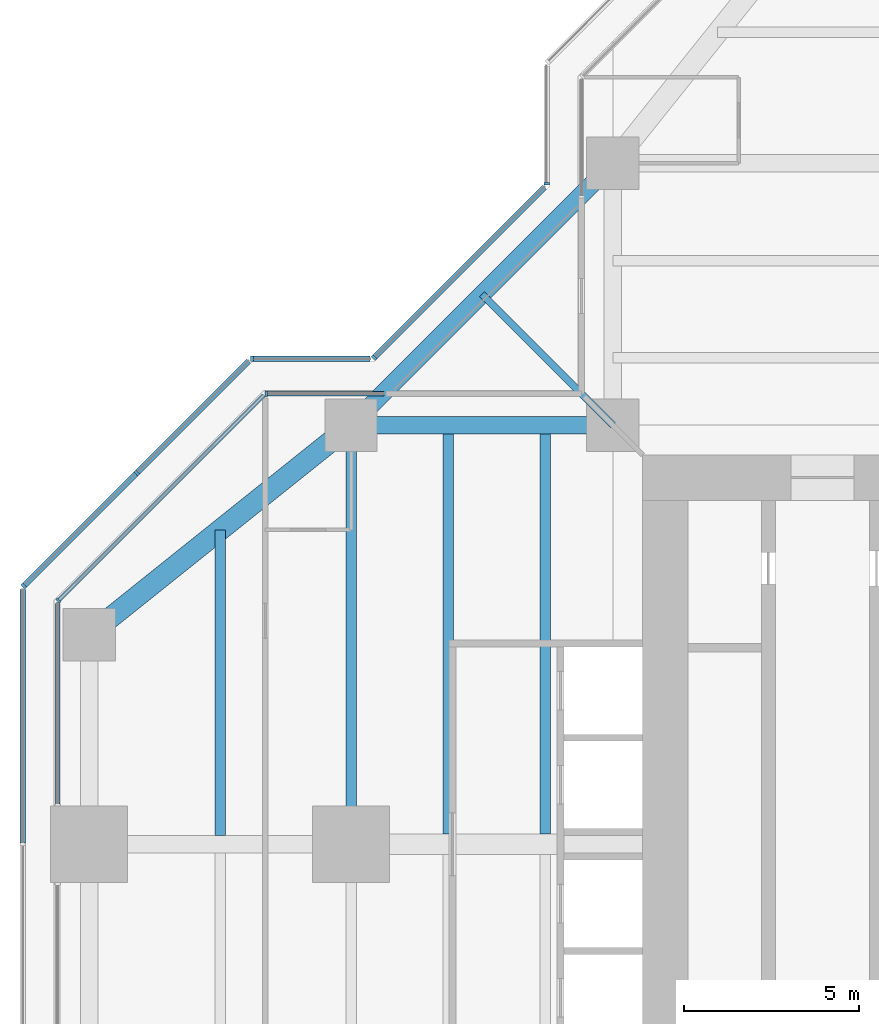
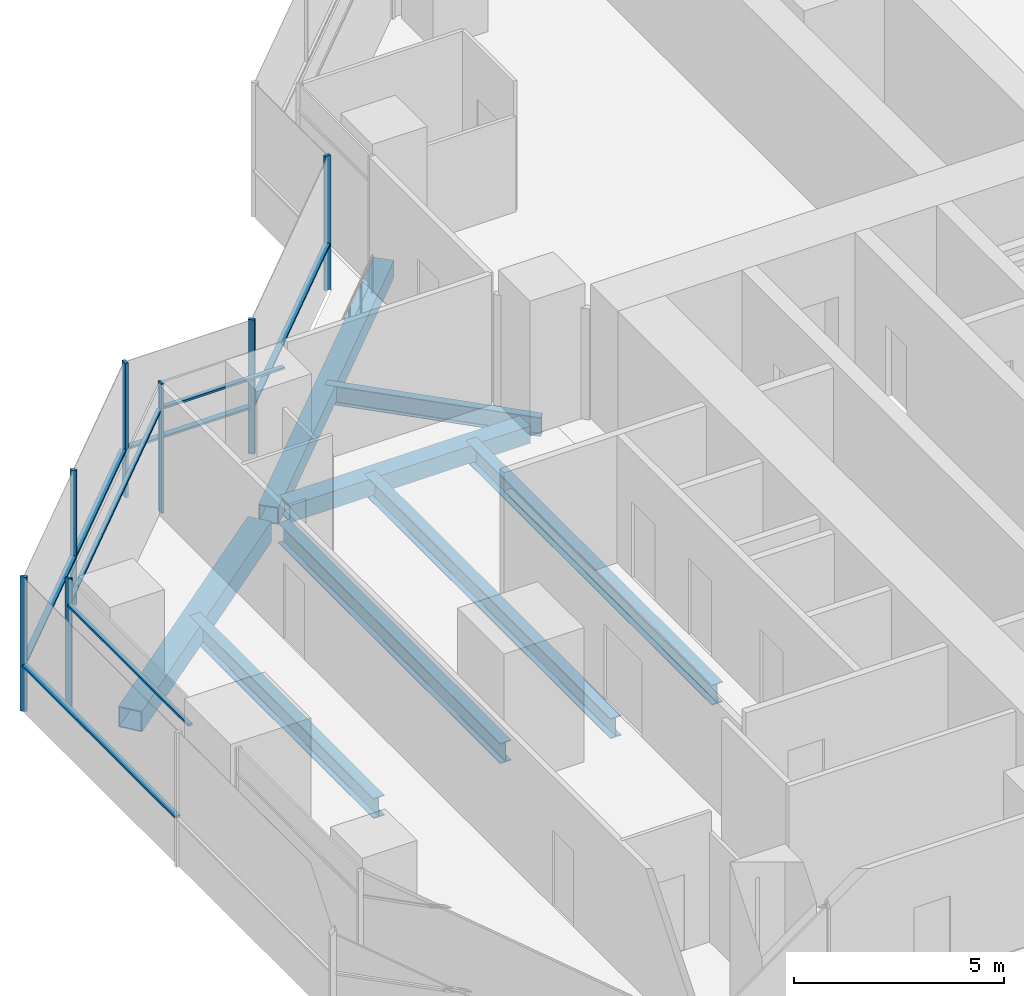
# One storey, part 6 of 17: 15 members, 8 beams, 8 elements without a shape of their own.
"""IFC4 building model written with IfcOpenShell, lengths in metres."""

from ifc_helpers import new_model, si_unit, direction, frame, origin, origin_2d, place, context, subcontext, project, spatial, rectangle, hollow_rectangle, i_section, extrude, material, material_profile, profile_set, type_object, element, aggregate, save


model = new_model("IFC4")

# Units and contexts
model_context = context("Model", 3, precision=1e-05, world=origin(), true_north=direction((0.0, 1.0)))
body_context = subcontext(model_context, "Body", "Model", "MODEL_VIEW")
ifc_project = project(units=[si_unit("LENGTHUNIT", "METRE"), si_unit("AREAUNIT", "SQUARE_METRE"), si_unit("VOLUMEUNIT", "CUBIC_METRE"), si_unit("PLANEANGLEUNIT", "RADIAN"), si_unit("MASSUNIT", "GRAM", prefix="KILO")], contexts=[model_context])

# Site, building, storey
site_placement = place(None, origin())
site = spatial("IfcSite", under=ifc_project, at=site_placement, CompositionType="ELEMENT")
building_placement = place(site_placement, origin())
building = spatial("IfcBuilding", under=site, at=building_placement, Name="Mizan Broadcast Tower", CompositionType="ELEMENT")
storey_placement = place(building_placement, frame((0.0, 0.0, 243.89990234375)))
storey = spatial("IfcBuildingStorey", under=building, at=storey_placement, Name="L57", CompositionType="ELEMENT", Elevation=243.89990234375)

# Beams
ifc_material_1 = material(Name="Steel S355", Category="steel")
ifc_material_profile_1 = material_profile(ifc_material_1, hollow_rectangle(XDim=0.5, YDim=0.5, WallThickness=0.030029296875, at=origin_2d()), Name="BOX 500x500x30")
ifc_profile_set_1 = profile_set([ifc_material_profile_1], Name="Steel S355")
beam_type_1 = type_object("IfcBeamType", Name="EDGE BEAM BOX 500x500x30", PredefinedType="SPANDREL", material=ifc_profile_set_1)
beam_1_placement = place(storey_placement, frame((-12.449951171875, 12.0, -0.3798828125), z_axis=(-1.0, 0.0, 0.0), x_axis=(0.0, -1.0, 0.0)))
element("IfcBeam", 1, at=beam_1_placement, inside=storey, type_object=beam_type_1, Name="Edge beam BOX 500x500x30 L57 west arm", PredefinedType="SPANDREL", context=body_context, shape_type="SweptSolid", body=[
    extrude(hollow_rectangle(XDim=0.5, YDim=0.5, WallThickness=0.030029296875, at=origin_2d()), origin(), (0.0, 0.0, 1.0), 6.60009765625),
])
beam_2_placement = place(storey_placement, frame((-12.0, 19.5, -0.3798828125), z_axis=(-0.707106781187, -0.707106781187, 0.0), x_axis=(0.707106781187, -0.707106781187, 0.0)))
element("IfcBeam", 2, at=beam_2_placement, inside=storey, type_object=beam_type_1, Name="Winter garden edge beam L57 N", PredefinedType="SPANDREL", context=body_context, shape_type="SweptSolid", body=[
    extrude(hollow_rectangle(XDim=0.5, YDim=0.5, WallThickness=0.030029296875, at=origin_2d()), origin(), (0.0, 0.0, 1.0), 10.606689453125),
])
ifc_material_2 = material(Name="Steel S355", Category="steel")
ifc_material_profile_2 = material_profile(ifc_material_2, hollow_rectangle(XDim=0.60009765625, YDim=0.60009765625, WallThickness=0.030029296875, at=origin_2d()), Name="BOX 600x600x30")
ifc_profile_set_2 = profile_set([ifc_material_profile_2], Name="Steel S355")
beam_type_2 = type_object("IfcBeamType", Name="EDGE BEAM BOX 600x600x30", PredefinedType="SPANDREL", material=ifc_profile_set_2)
beam_3_placement = place(storey_placement, frame((-19.949951171875, 11.639892578125, -0.429931640625), z_axis=(-0.780885717636, -0.624673911726, 0.0), x_axis=(0.624673911726, -0.780885717636, 0.0)))
element("IfcBeam", 3, at=beam_3_placement, inside=storey, type_object=beam_type_2, Name="Edge beam BOX 600x600x30 L57 west arm", PredefinedType="SPANDREL", context=body_context, shape_type="SweptSolid", body=[
    extrude(hollow_rectangle(XDim=0.60009765625, YDim=0.60009765625, WallThickness=0.030029296875, at=origin_2d()), origin(), (0.0, 0.0, 1.0), 8.4521484375),
])
ifc_material_3 = material(Name="Steel S355", Category="steel")
ifc_material_profile_3 = material_profile(ifc_material_3, i_section(OverallWidth=0.300048828125, OverallDepth=0.590087890625, WebThickness=0.012939453125, FlangeThickness=0.02490234375, FilletRadius=0.027099609375, at=origin_2d()), Name="HEA 600")
ifc_profile_set_3 = profile_set([ifc_material_profile_3], Name="Steel S355")
beam_type_3 = type_object("IfcBeamType", Name="GIRDER HEA 600", PredefinedType="BEAM", material=ifc_profile_set_3)
beam_4_placement = place(storey_placement, frame((-19.5, 11.280029296875, -0.4248046875), z_axis=(0.0, -1.0, 0.0), x_axis=(1.0, 0.0, 0.0)))
element("IfcBeam", 4, at=beam_4_placement, inside=storey, type_object=beam_type_3, Name="Girder HEA 600 L57 west arm", PredefinedType="BEAM", context=body_context, shape_type="SweptSolid", body=[
    extrude(i_section(OverallWidth=0.300048828125, OverallDepth=0.590087890625, WebThickness=0.012939453125, FlangeThickness=0.02490234375, FilletRadius=0.027099609375, at=origin_2d()), origin(), (0.0, 0.0, 1.0), 10.56005859375),
])

# Curtain wall, member
ifc_material_4 = material(Name="Aluminium framed glazing", Category="aluminium")
curtain_wall_type_1 = type_object("IfcCurtainWallType", Name="INNER SKIN HIGH ZONE", PredefinedType="USERDEFINED", material=ifc_material_4)
curtain_wall_1_placement = place(storey_placement, origin())
curtain_wall_1 = element("IfcCurtainWall", 5, at=curtain_wall_1_placement, inside=storey, type_object=curtain_wall_type_1, Name="Inner skin high zone L57 W side", ObjectType="INNER SKIN HIGH ZONE", PredefinedType="USERDEFINED")
ifc_material_5 = material(Name="Aluminium, pale anodised", Category="aluminium")
ifc_material_profile_4 = material_profile(ifc_material_5, rectangle(XDim=0.159912109375, YDim=0.06005859375, at=origin_2d()), Name="MULLION 160x60")
ifc_profile_set_4 = profile_set([ifc_material_profile_4], Name="Aluminium, pale anodised")
member_type_1 = type_object("IfcMemberType", Name="INNER SKIN MULLION 60x160", PredefinedType="MULLION", material=ifc_profile_set_4)
member_1_placement = place(storey_placement, frame((-21.928466796875, 12.89990234375, 0.0), z_axis=(0.0, 0.0, 1.0), x_axis=(0.0, -1.0, 0.0)))
member_1 = element("IfcMember", 6, at=member_1_placement, type_object=member_type_1, Name="Inner skin high zone L57 W side mullion 2", PredefinedType="MULLION", context=body_context, shape_type="SweptSolid", body=[
    extrude(rectangle(XDim=0.159912109375, YDim=0.06005859375, at=origin_2d()), origin(), (0.0, 0.0, 1.0), 3.77001953125),
])

curtain_wall_2_placement = place(storey_placement, origin())
curtain_wall_2 = element("IfcCurtainWall", 7, at=curtain_wall_2_placement, inside=storey, type_object=curtain_wall_type_1, Name="Inner skin high zone L57 W chamfer", ObjectType="INNER SKIN HIGH ZONE", PredefinedType="USERDEFINED")
member_2_placement = place(storey_placement, frame((-27.87890625, 6.979736328125, 0.0), z_axis=(0.0, 0.0, 1.0), x_axis=(0.707106781187, -0.707106781187, 0.0)))
member_2 = element("IfcMember", 8, at=member_2_placement, type_object=member_type_1, Name="Inner skin high zone L57 W chamfer mullion 2", PredefinedType="MULLION", context=body_context, shape_type="SweptSolid", body=[
    extrude(rectangle(XDim=0.159912109375, YDim=0.06005859375, at=origin_2d()), origin(), (0.0, 0.0, 1.0), 3.77001953125),
])

# Member
ifc_material_6 = material(Name="Aluminium, pale anodised", Category="aluminium")
ifc_material_profile_5 = material_profile(ifc_material_6, rectangle(XDim=0.1201171875, YDim=0.06005859375, at=origin_2d()), Name="TRANSOM 120x60")
ifc_profile_set_5 = profile_set([ifc_material_profile_5], Name="Aluminium, pale anodised")
member_type_2 = type_object("IfcMemberType", Name="INNER SKIN TRANSOM 60x120", PredefinedType="USERDEFINED", material=ifc_profile_set_5)
member_3_placement = place(storey_placement, frame((-18.56005859375, 12.89990234375, 3.030029296875), z_axis=(-1.0, 0.0, 0.0), x_axis=(0.0, -1.0, 0.0)))
member_3 = element("IfcMember", 9, at=member_3_placement, type_object=member_type_2, Name="Inner skin high zone L57 W side transom 1.1", ObjectType="TRANSOM", PredefinedType="USERDEFINED", context=body_context, shape_type="SweptSolid", body=[
    extrude(rectangle(XDim=0.1201171875, YDim=0.06005859375, at=origin_2d()), origin(), (0.0, 0.0, 1.0), 3.338623046875),
])

aggregate(curtain_wall_1, [member_1, member_3])

member_4_placement = place(storey_placement, frame((-22.0009765625, 12.857666015625, 3.030029296875), z_axis=(-0.707106781187, -0.707106781187, 0.0), x_axis=(0.707106781187, -0.707106781187, 0.0)))
member_4 = element("IfcMember", 10, at=member_4_placement, type_object=member_type_2, Name="Inner skin high zone L57 W chamfer transom 1.1", ObjectType="TRANSOM", PredefinedType="USERDEFINED", context=body_context, shape_type="SweptSolid", body=[
    extrude(rectangle(XDim=0.1201171875, YDim=0.06005859375, at=origin_2d()), origin(), (0.0, 0.0, 1.0), 8.28271484375),
])

aggregate(curtain_wall_2, [member_2, member_4])

# Curtain wall, member
curtain_wall_3_placement = place(storey_placement, origin())
curtain_wall_3 = element("IfcCurtainWall", 11, at=curtain_wall_3_placement, inside=storey, type_object=curtain_wall_type_1, Name="Inner skin high zone L57 W end", ObjectType="INNER SKIN HIGH ZONE", PredefinedType="USERDEFINED")
member_5_placement = place(storey_placement, frame((-27.89990234375, 6.898681640625, 3.030029296875), z_axis=(0.0, -1.0, 0.0), x_axis=(1.0, 0.0, 0.0)))
member_5 = element("IfcMember", 12, at=member_5_placement, type_object=member_type_2, Name="Inner skin high zone L57 W end transom 1.1", ObjectType="TRANSOM", PredefinedType="USERDEFINED", context=body_context, shape_type="SweptSolid", body=[
    extrude(rectangle(XDim=0.1201171875, YDim=0.06005859375, at=origin_2d()), origin(), (0.0, 0.0, 1.0), 5.73876953125),
])
aggregate(curtain_wall_3, [member_5])

ifc_material_7 = material(Name="Aluminium framed glazing", Category="aluminium")
curtain_wall_type_2 = type_object("IfcCurtainWallType", Name="OUTER SKIN", PredefinedType="USERDEFINED", material=ifc_material_7)
curtain_wall_4_placement = place(storey_placement, origin())
curtain_wall_4 = element("IfcCurtainWall", 13, at=curtain_wall_4_placement, inside=storey, type_object=curtain_wall_type_2, Name="Outer skin L57 N side", ObjectType="OUTER SKIN", PredefinedType="USERDEFINED")
ifc_material_8 = material(Name="Aluminium, pale anodised", Category="aluminium")
ifc_material_profile_6 = material_profile(ifc_material_8, rectangle(XDim=0.159912109375, YDim=0.080078125, at=origin_2d()), Name="MULLION 160x80")
ifc_profile_set_6 = profile_set([ifc_material_profile_6], Name="Aluminium, pale anodised")
member_type_3 = type_object("IfcMemberType", Name="OUTER SKIN MULLION 80x160", PredefinedType="MULLION", material=ifc_profile_set_6)
member_6_placement = place(storey_placement, frame((-13.89990234375, 18.912841796875, 0.0), z_axis=(0.0, 0.0, 1.0), x_axis=(1.0, 0.0, 0.0)))
member_6 = element("IfcMember", 14, at=member_6_placement, type_object=member_type_3, Name="Outer skin L57 N side mullion 2", PredefinedType="MULLION", context=body_context, shape_type="SweptSolid", body=[
    extrude(rectangle(XDim=0.159912109375, YDim=0.080078125, at=origin_2d()), origin(), (0.0, 0.0, 1.0), 3.900146484375),
])
aggregate(curtain_wall_4, [member_6])

curtain_wall_5_placement = place(storey_placement, origin())
curtain_wall_5 = element("IfcCurtainWall", 15, at=curtain_wall_5_placement, inside=storey, type_object=curtain_wall_type_2, Name="Outer skin L57 W chamfer", ObjectType="OUTER SKIN", PredefinedType="USERDEFINED")
member_7_placement = place(storey_placement, frame((-18.844482421875, 13.92822265625, 0.0), z_axis=(0.0, 0.0, 1.0), x_axis=(0.707106781187, -0.707106781187, 0.0)))
member_7 = element("IfcMember", 16, at=member_7_placement, type_object=member_type_3, Name="Outer skin L57 W chamfer mullion 2", PredefinedType="MULLION", context=body_context, shape_type="SweptSolid", body=[
    extrude(rectangle(XDim=0.159912109375, YDim=0.080078125, at=origin_2d()), origin(), (0.0, 0.0, 1.0), 3.900146484375),
])

curtain_wall_6_placement = place(storey_placement, origin())
curtain_wall_6 = element("IfcCurtainWall", 17, at=curtain_wall_6_placement, inside=storey, type_object=curtain_wall_type_2, Name="Outer skin L57 W side", ObjectType="OUTER SKIN", PredefinedType="USERDEFINED")
member_8_placement = place(storey_placement, frame((-22.332763671875, 13.89990234375, 0.0), z_axis=(0.0, 0.0, 1.0), x_axis=(0.0, -1.0, 0.0)))
member_8 = element("IfcMember", 18, at=member_8_placement, type_object=member_type_3, Name="Outer skin L57 W side mullion 2", PredefinedType="MULLION", context=body_context, shape_type="SweptSolid", body=[
    extrude(rectangle(XDim=0.159912109375, YDim=0.080078125, at=origin_2d()), origin(), (0.0, 0.0, 1.0), 3.900146484375),
])

# Curtain wall, members
curtain_wall_7_placement = place(storey_placement, origin())
curtain_wall_7 = element("IfcCurtainWall", 19, at=curtain_wall_7_placement, inside=storey, type_object=curtain_wall_type_2, Name="Outer skin L57 W chamfer", ObjectType="OUTER SKIN", PredefinedType="USERDEFINED")
member_9_placement = place(storey_placement, frame((-25.636474609375, 10.636474609375, 0.0), z_axis=(0.0, 0.0, 1.0), x_axis=(0.707106781187, -0.707106781187, 0.0)))
member_9 = element("IfcMember", 20, at=member_9_placement, type_object=member_type_3, Name="Outer skin L57 W chamfer mullion 2", PredefinedType="MULLION", context=body_context, shape_type="SweptSolid", body=[
    extrude(rectangle(XDim=0.159912109375, YDim=0.080078125, at=origin_2d()), origin(), (0.0, 0.0, 1.0), 3.900146484375),
])
member_10_placement = place(storey_placement, frame((-28.871826171875, 7.401123046875, 0.0), z_axis=(0.0, 0.0, 1.0), x_axis=(0.707106781187, -0.707106781187, 0.0)))
member_10 = element("IfcMember", 21, at=member_10_placement, type_object=member_type_3, Name="Outer skin L57 W chamfer mullion 3", PredefinedType="MULLION", context=body_context, shape_type="SweptSolid", body=[
    extrude(rectangle(XDim=0.159912109375, YDim=0.080078125, at=origin_2d()), origin(), (0.0, 0.0, 1.0), 3.900146484375),
])

# Member
ifc_material_9 = material(Name="Aluminium, pale anodised", Category="aluminium")
ifc_material_profile_7 = material_profile(ifc_material_9, rectangle(XDim=0.159912109375, YDim=0.06005859375, at=origin_2d()), Name="TRANSOM 160x60")
ifc_profile_set_7 = profile_set([ifc_material_profile_7], Name="Aluminium, pale anodised")
member_type_4 = type_object("IfcMemberType", Name="OUTER SKIN TRANSOM 60x160", PredefinedType="USERDEFINED", material=ifc_profile_set_7)
member_11_placement = place(storey_placement, frame((-13.95654296875, 18.816162109375, 1.400146484375), z_axis=(-0.707106781187, -0.707106781187, 0.0), x_axis=(0.707106781187, -0.707106781187, 0.0)))
member_11 = element("IfcMember", 22, at=member_11_placement, type_object=member_type_4, Name="Outer skin L57 W chamfer transom 1.1", ObjectType="TRANSOM", PredefinedType="USERDEFINED", context=body_context, shape_type="SweptSolid", body=[
    extrude(rectangle(XDim=0.159912109375, YDim=0.06005859375, at=origin_2d()), origin(), (0.0, 0.0, 1.0), 6.87255859375),
])

aggregate(curtain_wall_5, [member_7, member_11])

member_12_placement = place(storey_placement, frame((-18.952880859375, 13.89990234375, 1.400146484375), z_axis=(-1.0, 0.0, 0.0), x_axis=(0.0, -1.0, 0.0)))
member_12 = element("IfcMember", 23, at=member_12_placement, type_object=member_type_4, Name="Outer skin L57 W side transom 1.1", ObjectType="TRANSOM", PredefinedType="USERDEFINED", context=body_context, shape_type="SweptSolid", body=[
    extrude(rectangle(XDim=0.159912109375, YDim=0.06005859375, at=origin_2d()), origin(), (0.0, 0.0, 1.0), 3.33984375),
])

aggregate(curtain_wall_6, [member_8, member_12])

member_13_placement = place(storey_placement, frame((-22.429443359375, 13.843505859375, 1.400146484375), z_axis=(-0.707106781187, -0.707106781187, 0.0), x_axis=(0.707106781187, -0.707106781187, 0.0)))
member_13 = element("IfcMember", 24, at=member_13_placement, type_object=member_type_4, Name="Outer skin L57 W chamfer transom 1.1", ObjectType="TRANSOM", PredefinedType="USERDEFINED", context=body_context, shape_type="SweptSolid", body=[
    extrude(rectangle(XDim=0.159912109375, YDim=0.06005859375, at=origin_2d()), origin(), (0.0, 0.0, 1.0), 4.495361328125),
])

member_14_placement = place(storey_placement, frame((-25.664794921875, 10.608154296875, 1.400146484375), z_axis=(-0.707106781187, -0.707106781187, 0.0), x_axis=(0.707106781187, -0.707106781187, 0.0)))
member_14 = element("IfcMember", 25, at=member_14_placement, type_object=member_type_4, Name="Outer skin L57 W chamfer transom 2.1", ObjectType="TRANSOM", PredefinedType="USERDEFINED", context=body_context, shape_type="SweptSolid", body=[
    extrude(rectangle(XDim=0.159912109375, YDim=0.06005859375, at=origin_2d()), origin(), (0.0, 0.0, 1.0), 4.495361328125),
])

aggregate(curtain_wall_7, [member_9, member_10, member_13, member_14])

# Curtain wall, member
curtain_wall_8_placement = place(storey_placement, origin())
curtain_wall_8 = element("IfcCurtainWall", 26, at=curtain_wall_8_placement, inside=storey, type_object=curtain_wall_type_2, Name="Outer skin L57 W end", ObjectType="OUTER SKIN", PredefinedType="USERDEFINED")
member_15_placement = place(storey_placement, frame((-28.89990234375, 7.292724609375, 1.400146484375), z_axis=(0.0, -1.0, 0.0), x_axis=(1.0, 0.0, 0.0)))
member_15 = element("IfcMember", 27, at=member_15_placement, type_object=member_type_4, Name="Outer skin L57 W end transom 1.1", ObjectType="TRANSOM", PredefinedType="USERDEFINED", context=body_context, shape_type="SweptSolid", body=[
    extrude(rectangle(XDim=0.159912109375, YDim=0.06005859375, at=origin_2d()), origin(), (0.0, 0.0, 1.0), 7.252685546875),
])
aggregate(curtain_wall_8, [member_15])

# Beams
ifc_material_10 = material(Name="Steel S355", Category="steel")
ifc_material_profile_8 = material_profile(ifc_material_10, i_section(OverallWidth=0.300048828125, OverallDepth=0.590087890625, WebThickness=0.012939453125, FlangeThickness=0.02490234375, FilletRadius=0.027099609375, at=origin_2d()), Name="HEA 600")
ifc_profile_set_8 = profile_set([ifc_material_profile_8], Name="Steel S355")
beam_type_4 = type_object("IfcBeamType", Name="SECONDARY BEAM HEA 600", PredefinedType="JOIST", material=ifc_profile_set_8)
for number, where, z_axis, x_axis, name in (
    (28, (-13.933349609375, 12.0, -0.4248046875), (0.0, -1.0, 0.0), (1.0, 0.0, 0.0), "Secondary beam HEA 600 L57 west arm"),
    (29, (-16.716552734375, 12.0, -0.4248046875), (0.0, -1.0, 0.0), (1.0, 0.0, 0.0), "Secondary beam HEA 600 L57 west arm"),
):
    element("IfcBeam", number, at=place(storey_placement, frame(where, z_axis=z_axis, x_axis=x_axis)), inside=storey, type_object=beam_type_4, Name=name, PredefinedType="JOIST", context=body_context, shape_type="SweptSolid", body=[
        extrude(i_section(OverallWidth=0.300048828125, OverallDepth=0.590087890625, WebThickness=0.012939453125, FlangeThickness=0.02490234375, FilletRadius=0.027099609375, at=origin_2d()), origin(), (0.0, 0.0, 1.0), 11.699951171875),
    ])
beam_5_placement = place(storey_placement, frame((-23.25, 9.0, -0.4248046875), z_axis=(0.0, -1.0, 0.0), x_axis=(1.0, 0.0, 0.0)))
element("IfcBeam", 30, at=beam_5_placement, inside=storey, type_object=beam_type_4, Name="Secondary beam HEA 600 L57 west arm", PredefinedType="JOIST", context=body_context, shape_type="SweptSolid", body=[
    extrude(i_section(OverallWidth=0.300048828125, OverallDepth=0.590087890625, WebThickness=0.012939453125, FlangeThickness=0.02490234375, FilletRadius=0.027099609375, at=origin_2d()), origin(), (0.0, 0.0, 1.0), 8.75),
])
ifc_material_11 = material(Name="Steel S355", Category="steel")
ifc_material_profile_9 = material_profile(ifc_material_11, i_section(OverallWidth=0.2099609375, OverallDepth=0.550048828125, WebThickness=0.010986328125, FlangeThickness=0.01708984375, FilletRadius=0.02392578125, at=origin_2d()), Name="IPE 550")
ifc_profile_set_9 = profile_set([ifc_material_profile_9], Name="Steel S355")
beam_type_5 = type_object("IfcBeamType", Name="SECONDARY BEAM IPE 550", PredefinedType="JOIST", material=ifc_profile_set_9)
beam_6_placement = place(storey_placement, frame((-12.0, 12.0, -0.40478515625), z_axis=(-0.707106781187, 0.707106781187, 0.0), x_axis=(-0.707106781187, -0.707106781187, 0.0)))
element("IfcBeam", 31, at=beam_6_placement, inside=storey, type_object=beam_type_5, Name="Winter garden beam L57 N", PredefinedType="JOIST", context=body_context, shape_type="SweptSolid", body=[
    extrude(i_section(OverallWidth=0.2099609375, OverallDepth=0.550048828125, WebThickness=0.010986328125, FlangeThickness=0.01708984375, FilletRadius=0.02392578125, at=origin_2d()), origin(), (0.0, 0.0, 1.0), 5.30322265625),
])

save(model, "model.ifc")
